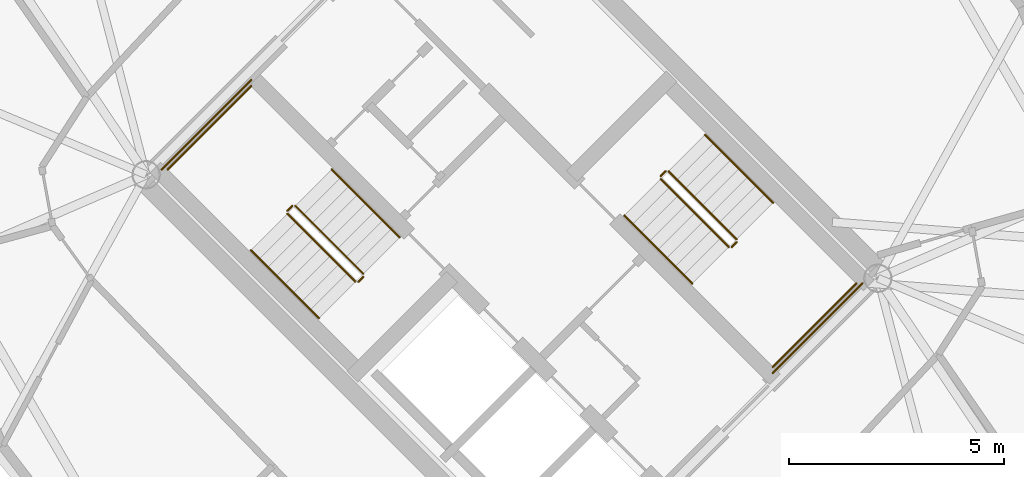
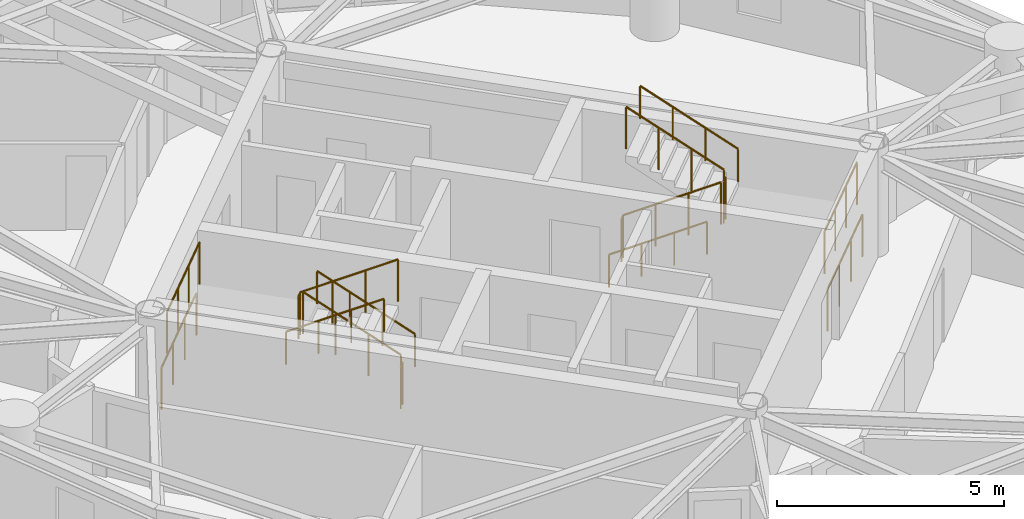
# One storey, part 16 of 16: 16 railings.
"""IFC4 building model written with IfcOpenShell, lengths in metres."""

from ifc_helpers import new_model, si_unit, direction, frame, origin, origin_2d, place, context, subcontext, project, spatial, circle, extrude, material, type_object, element, save


model = new_model("IFC4")

# Units and contexts
model_context = context("Model", 3, precision=1e-05, world=origin(), true_north=direction((0.0, 1.0)))
body_context = subcontext(model_context, "Body", "Model", "MODEL_VIEW")
ifc_project = project(units=[si_unit("LENGTHUNIT", "METRE"), si_unit("AREAUNIT", "SQUARE_METRE"), si_unit("VOLUMEUNIT", "CUBIC_METRE"), si_unit("PLANEANGLEUNIT", "RADIAN"), si_unit("MASSUNIT", "GRAM", prefix="KILO")], contexts=[model_context])

# Site, building, storey
site_placement = place(None, origin())
site = spatial("IfcSite", under=ifc_project, at=site_placement, CompositionType="ELEMENT")
building_placement = place(site_placement, origin())
building = spatial("IfcBuilding", under=site, at=building_placement, Name="Cununo Teusaquillo Station Towers", CompositionType="ELEMENT")
storey_placement = place(building_placement, frame((0.0, 0.0, 211.2099609375)))
storey = spatial("IfcBuildingStorey", under=building, at=storey_placement, Name="L67", CompositionType="ELEMENT", Elevation=211.2099609375)

# Railings
ifc_material_1 = material(Name="Steel EN 10025-2 S355J2", Category="steel")
railing_type_1 = type_object("IfcRailingType", Name="RL-INT-GUARD", PredefinedType="GUARDRAIL", material=ifc_material_1)
railing_1_placement = place(storey_placement, frame((54.03515625, 23.39697265625, 0.16162109375)))
element("IfcRailing", 1, at=railing_1_placement, inside=storey, type_object=railing_type_1, Name="L67 ST-T2-1 stair guard 1", PredefinedType="GUARDRAIL", context=body_context, shape_type="SweptSolid", body=[
    extrude(circle(Radius=0.02392578125, at=origin_2d()), frame((0.0, 0.0, 1.1259765625), z_axis=(-0.612332353853, 0.612332353853, 0.500098167213), x_axis=(-0.707106781187, -0.707106781187, 0.0)), (0.0, 0.0, 1.0), 2.58642578125),
    extrude(circle(Radius=0.02099609375, at=origin_2d()), origin(), (0.0, 0.0, 1.0), 1.101806640625),
    extrude(circle(Radius=0.02099609375, at=origin_2d()), frame((-0.52783203125, 0.52783203125, 0.43115234375)), (0.0, 0.0, 1.0), 1.101806640625),
    extrude(circle(Radius=0.02099609375, at=origin_2d()), frame((-1.055908203125, 1.055908203125, 0.8623046875)), (0.0, 0.0, 1.0), 1.101806640625),
    extrude(circle(Radius=0.02099609375, at=origin_2d()), frame((-1.583740234375, 1.583740234375, 1.29345703125)), (0.0, 0.0, 1.0), 1.101806640625),
])
railing_2_placement = place(storey_placement, frame((52.380615234375, 24.980712890625, 1.455078125)))
element("IfcRailing", 2, at=railing_2_placement, inside=storey, type_object=railing_type_1, Name="L67 ST-T2-1 stair guard 2", PredefinedType="GUARDRAIL", context=body_context, shape_type="SweptSolid", body=[
    extrude(circle(Radius=0.02392578125, at=origin_2d()), frame((0.0, 0.0, 1.1259765625), z_axis=(-0.7078691598, -0.706343579714, 0.0), x_axis=(0.706343579714, -0.7078691598, 0.0)), (0.0, 0.0, 1.0), 0.159912109375),
    extrude(circle(Radius=0.02099609375, at=origin_2d()), origin(), (0.0, 0.0, 1.0), 1.101806640625),
    extrude(circle(Radius=0.02099609375, at=origin_2d()), frame((-0.11328125, -0.113037109375, 0.0)), (0.0, 0.0, 1.0), 1.101806640625),
])
railing_3_placement = place(storey_placement, frame((51.426025390625, 27.77392578125, 1.455078125)))
element("IfcRailing", 3, at=railing_3_placement, inside=storey, type_object=railing_type_1, Name="L67 ST-T2-1 stair guard 3", PredefinedType="GUARDRAIL", context=body_context, shape_type="SweptSolid", body=[
    extrude(circle(Radius=0.02392578125, at=origin_2d()), frame((0.0, 0.0, 1.1259765625), z_axis=(-0.707106781187, -0.707106781187, 0.0), x_axis=(0.707106781187, -0.707106781187, 0.0)), (0.0, 0.0, 1.0), 2.760009765625),
    extrude(circle(Radius=0.02099609375, at=origin_2d()), origin(), (0.0, 0.0, 1.0), 1.101806640625),
    extrude(circle(Radius=0.02099609375, at=origin_2d()), frame((-0.650634765625, -0.650634765625, 0.0)), (0.0, 0.0, 1.0), 1.101806640625),
    extrude(circle(Radius=0.02099609375, at=origin_2d()), frame((-1.301025390625, -1.301025390625, 0.0)), (0.0, 0.0, 1.0), 1.101806640625),
    extrude(circle(Radius=0.02099609375, at=origin_2d()), frame((-1.95166015625, -1.95166015625, 0.0)), (0.0, 0.0, 1.0), 1.101806640625),
])
railing_4_placement = place(storey_placement, frame((52.267333984375, 24.796875, 1.61669921875)))
element("IfcRailing", 4, at=railing_4_placement, inside=storey, type_object=railing_type_1, Name="L67 ST-T2-1 stair guard 4", PredefinedType="GUARDRAIL", context=body_context, shape_type="SweptSolid", body=[
    extrude(circle(Radius=0.02392578125, at=origin_2d()), frame((0.0, 0.0, 1.1259765625), z_axis=(0.612391349474, -0.612296961165, 0.500069261639), x_axis=(0.707052281454, 0.707161276719, 0.0)), (0.0, 0.0, 1.0), 2.586669921875),
    extrude(circle(Radius=0.02099609375, at=origin_2d()), origin(), (0.0, 0.0, 1.0), 1.101806640625),
    extrude(circle(Radius=0.02099609375, at=origin_2d()), frame((0.528076171875, -0.52783203125, 0.43115234375)), (0.0, 0.0, 1.0), 1.101806640625),
    extrude(circle(Radius=0.02099609375, at=origin_2d()), frame((1.055908203125, -1.055908203125, 0.8623046875)), (0.0, 0.0, 1.0), 1.101806640625),
    extrude(circle(Radius=0.02099609375, at=origin_2d()), frame((1.583984375, -1.583740234375, 1.29345703125)), (0.0, 0.0, 1.0), 1.101806640625),
])
railing_5_placement = place(storey_placement, frame((54.03515625, 23.326171875, 0.0)))
element("IfcRailing", 5, at=railing_5_placement, inside=storey, type_object=railing_type_1, Name="L67 ST-T2-1 stair guard 5", PredefinedType="GUARDRAIL", context=body_context, shape_type="SweptSolid", body=[
    extrude(circle(Radius=0.02392578125, at=origin_2d()), frame((0.0, 0.0, 1.1259765625), z_axis=(-0.707106781187, -0.707106781187, 0.0), x_axis=(0.707106781187, -0.707106781187, 0.0)), (0.0, 0.0, 1.0), 0.159912109375),
    extrude(circle(Radius=0.02099609375, at=origin_2d()), origin(), (0.0, 0.0, 1.0), 1.101806640625),
    extrude(circle(Radius=0.02099609375, at=origin_2d()), frame((-0.113037109375, -0.113037109375, 0.0)), (0.0, 0.0, 1.0), 1.101806640625),
])
railing_6_placement = place(storey_placement, frame((51.426025390625, 27.915283203125, 0.0)))
element("IfcRailing", 6, at=railing_6_placement, inside=storey, type_object=railing_type_1, Name="L67 ST-T2-1 stair guard 6", PredefinedType="GUARDRAIL", context=body_context, shape_type="SweptSolid", body=[
    extrude(circle(Radius=0.02392578125, at=origin_2d()), frame((0.0, 0.0, 1.1259765625), z_axis=(-0.707106781187, -0.707106781187, 0.0), x_axis=(0.707106781187, -0.707106781187, 0.0)), (0.0, 0.0, 1.0), 2.9599609375),
    extrude(circle(Radius=0.02099609375, at=origin_2d()), origin(), (0.0, 0.0, 1.0), 1.101806640625),
    extrude(circle(Radius=0.02099609375, at=origin_2d()), frame((-0.69775390625, -0.69775390625, 0.0)), (0.0, 0.0, 1.0), 1.101806640625),
    extrude(circle(Radius=0.02099609375, at=origin_2d()), frame((-1.395263671875, -1.395263671875, 0.0)), (0.0, 0.0, 1.0), 1.101806640625),
    extrude(circle(Radius=0.02099609375, at=origin_2d()), frame((-2.093017578125, -2.093017578125, 0.0)), (0.0, 0.0, 1.0), 1.101806640625),
])
railing_7_placement = place(storey_placement, frame((60.96484375, 25.60302734375, 0.16162109375)))
element("IfcRailing", 7, at=railing_7_placement, inside=storey, type_object=railing_type_1, Name="L67 ST-T2-2 stair guard 1", PredefinedType="GUARDRAIL", context=body_context, shape_type="SweptSolid", body=[
    extrude(circle(Radius=0.02392578125, at=origin_2d()), frame((0.0, 0.0, 1.1259765625), z_axis=(0.612332353853, -0.612332353853, 0.500098167213), x_axis=(0.707106781187, 0.707106781187, 0.0)), (0.0, 0.0, 1.0), 2.58642578125),
    extrude(circle(Radius=0.02099609375, at=origin_2d()), origin(), (0.0, 0.0, 1.0), 1.101806640625),
    extrude(circle(Radius=0.02099609375, at=origin_2d()), frame((0.52783203125, -0.52783203125, 0.43115234375)), (0.0, 0.0, 1.0), 1.101806640625),
    extrude(circle(Radius=0.02099609375, at=origin_2d()), frame((1.055908203125, -1.055908203125, 0.8623046875)), (0.0, 0.0, 1.0), 1.101806640625),
    extrude(circle(Radius=0.02099609375, at=origin_2d()), frame((1.583740234375, -1.583740234375, 1.29345703125)), (0.0, 0.0, 1.0), 1.101806640625),
])
railing_8_placement = place(storey_placement, frame((62.619384765625, 24.019287109375, 1.455078125)))
element("IfcRailing", 8, at=railing_8_placement, inside=storey, type_object=railing_type_1, Name="L67 ST-T2-2 stair guard 2", PredefinedType="GUARDRAIL", context=body_context, shape_type="SweptSolid", body=[
    extrude(circle(Radius=0.02392578125, at=origin_2d()), frame((0.0, 0.0, 1.1259765625), z_axis=(0.7078691598, 0.706343579714, 0.0), x_axis=(-0.706343579714, 0.7078691598, 0.0)), (0.0, 0.0, 1.0), 0.159912109375),
    extrude(circle(Radius=0.02099609375, at=origin_2d()), origin(), (0.0, 0.0, 1.0), 1.101806640625),
    extrude(circle(Radius=0.02099609375, at=origin_2d()), frame((0.11328125, 0.113037109375, 0.0)), (0.0, 0.0, 1.0), 1.101806640625),
])
railing_9_placement = place(storey_placement, frame((63.573974609375, 21.22607421875, 1.455078125)))
element("IfcRailing", 9, at=railing_9_placement, inside=storey, type_object=railing_type_1, Name="L67 ST-T2-2 stair guard 3", PredefinedType="GUARDRAIL", context=body_context, shape_type="SweptSolid", body=[
    extrude(circle(Radius=0.02392578125, at=origin_2d()), frame((0.0, 0.0, 1.1259765625), z_axis=(0.707106781187, 0.707106781187, 0.0), x_axis=(-0.707106781187, 0.707106781187, 0.0)), (0.0, 0.0, 1.0), 2.760009765625),
    extrude(circle(Radius=0.02099609375, at=origin_2d()), origin(), (0.0, 0.0, 1.0), 1.101806640625),
    extrude(circle(Radius=0.02099609375, at=origin_2d()), frame((0.650634765625, 0.650634765625, 0.0)), (0.0, 0.0, 1.0), 1.101806640625),
    extrude(circle(Radius=0.02099609375, at=origin_2d()), frame((1.301025390625, 1.301025390625, 0.0)), (0.0, 0.0, 1.0), 1.101806640625),
    extrude(circle(Radius=0.02099609375, at=origin_2d()), frame((1.95166015625, 1.95166015625, 0.0)), (0.0, 0.0, 1.0), 1.101806640625),
])
railing_10_placement = place(storey_placement, frame((62.732666015625, 24.203125, 1.61669921875)))
element("IfcRailing", 10, at=railing_10_placement, inside=storey, type_object=railing_type_1, Name="L67 ST-T2-2 stair guard 4", PredefinedType="GUARDRAIL", context=body_context, shape_type="SweptSolid", body=[
    extrude(circle(Radius=0.02392578125, at=origin_2d()), frame((0.0, 0.0, 1.1259765625), z_axis=(-0.612391349474, 0.612296961165, 0.500069261639), x_axis=(-0.707052281454, -0.707161276719, 0.0)), (0.0, 0.0, 1.0), 2.586669921875),
    extrude(circle(Radius=0.02099609375, at=origin_2d()), origin(), (0.0, 0.0, 1.0), 1.101806640625),
    extrude(circle(Radius=0.02099609375, at=origin_2d()), frame((-0.528076171875, 0.52783203125, 0.43115234375)), (0.0, 0.0, 1.0), 1.101806640625),
    extrude(circle(Radius=0.02099609375, at=origin_2d()), frame((-1.055908203125, 1.055908203125, 0.8623046875)), (0.0, 0.0, 1.0), 1.101806640625),
    extrude(circle(Radius=0.02099609375, at=origin_2d()), frame((-1.583984375, 1.583740234375, 1.29345703125)), (0.0, 0.0, 1.0), 1.101806640625),
])
railing_11_placement = place(storey_placement, frame((60.96484375, 25.673828125, 0.0)))
element("IfcRailing", 11, at=railing_11_placement, inside=storey, type_object=railing_type_1, Name="L67 ST-T2-2 stair guard 5", PredefinedType="GUARDRAIL", context=body_context, shape_type="SweptSolid", body=[
    extrude(circle(Radius=0.02392578125, at=origin_2d()), frame((0.0, 0.0, 1.1259765625), z_axis=(0.707106781187, 0.707106781187, 0.0), x_axis=(-0.707106781187, 0.707106781187, 0.0)), (0.0, 0.0, 1.0), 0.159912109375),
    extrude(circle(Radius=0.02099609375, at=origin_2d()), origin(), (0.0, 0.0, 1.0), 1.101806640625),
    extrude(circle(Radius=0.02099609375, at=origin_2d()), frame((0.113037109375, 0.113037109375, 0.0)), (0.0, 0.0, 1.0), 1.101806640625),
])
railing_12_placement = place(storey_placement, frame((63.573974609375, 21.084716796875, 0.0)))
element("IfcRailing", 12, at=railing_12_placement, inside=storey, type_object=railing_type_1, Name="L67 ST-T2-2 stair guard 6", PredefinedType="GUARDRAIL", context=body_context, shape_type="SweptSolid", body=[
    extrude(circle(Radius=0.02392578125, at=origin_2d()), frame((0.0, 0.0, 1.1259765625), z_axis=(0.707106781187, 0.707106781187, 0.0), x_axis=(-0.707106781187, 0.707106781187, 0.0)), (0.0, 0.0, 1.0), 2.9599609375),
    extrude(circle(Radius=0.02099609375, at=origin_2d()), origin(), (0.0, 0.0, 1.0), 1.101806640625),
    extrude(circle(Radius=0.02099609375, at=origin_2d()), frame((0.69775390625, 0.69775390625, 0.0)), (0.0, 0.0, 1.0), 1.101806640625),
    extrude(circle(Radius=0.02099609375, at=origin_2d()), frame((1.395263671875, 1.395263671875, 0.0)), (0.0, 0.0, 1.0), 1.101806640625),
    extrude(circle(Radius=0.02099609375, at=origin_2d()), frame((2.093017578125, 2.093017578125, 0.0)), (0.0, 0.0, 1.0), 1.101806640625),
])
ifc_material_2 = material(Name="Steel EN 10025-2 S355J2", Category="steel")
railing_type_2 = type_object("IfcRailingType", Name="RL-INT-HRAIL", PredefinedType="HANDRAIL", material=ifc_material_2)
railing_13_placement = place(storey_placement, frame((54.8837890625, 24.245361328125, 0.16162109375)))
element("IfcRailing", 13, at=railing_13_placement, inside=storey, type_object=railing_type_2, Name="L67 ST-T2-1 stair handrail 1", PredefinedType="HANDRAIL", context=body_context, shape_type="SweptSolid", body=[
    extrude(circle(Radius=0.02392578125, at=origin_2d()), frame((0.0, 0.0, 0.8759765625), z_axis=(-0.612355957468, 0.612355957468, 0.500040361077), x_axis=(-0.707106781187, -0.707106781187, 0.0)), (0.0, 0.0, 1.0), 2.586669921875),
    extrude(circle(Radius=0.02099609375, at=origin_2d()), origin(), (0.0, 0.0, 1.0), 0.851806640625),
    extrude(circle(Radius=0.02099609375, at=origin_2d()), frame((-0.528076171875, 0.528076171875, 0.43115234375)), (0.0, 0.0, 1.0), 0.851806640625),
    extrude(circle(Radius=0.02099609375, at=origin_2d()), frame((-1.055908203125, 1.055908203125, 0.8623046875)), (0.0, 0.0, 1.0), 0.851806640625),
    extrude(circle(Radius=0.02099609375, at=origin_2d()), frame((-1.583984375, 1.583984375, 1.29345703125)), (0.0, 0.0, 1.0), 0.851806640625),
])
for number, where, name in (
    (14, (51.4189453125, 23.948486328125, 1.61669921875), "L67 ST-T2-1 stair handrail 2"),
    (15, (60.1162109375, 24.754638671875, 0.16162109375), "L67 ST-T2-2 stair handrail 1"),
):
    element("IfcRailing", number, at=place(storey_placement, frame(where)), inside=storey, type_object=railing_type_2, Name=name, PredefinedType="HANDRAIL", context=body_context, shape_type="SweptSolid", body=[
        extrude(circle(Radius=0.02392578125, at=origin_2d()), frame((0.0, 0.0, 0.8759765625), z_axis=(0.612355957468, -0.612355957468, 0.500040361077), x_axis=(0.707106781187, 0.707106781187, 0.0)), (0.0, 0.0, 1.0), 2.586669921875),
        extrude(circle(Radius=0.02099609375, at=origin_2d()), origin(), (0.0, 0.0, 1.0), 0.851806640625),
        extrude(circle(Radius=0.02099609375, at=origin_2d()), frame((0.528076171875, -0.528076171875, 0.43115234375)), (0.0, 0.0, 1.0), 0.851806640625),
        extrude(circle(Radius=0.02099609375, at=origin_2d()), frame((1.055908203125, -1.055908203125, 0.8623046875)), (0.0, 0.0, 1.0), 0.851806640625),
        extrude(circle(Radius=0.02099609375, at=origin_2d()), frame((1.583984375, -1.583984375, 1.29345703125)), (0.0, 0.0, 1.0), 0.851806640625),
    ])
railing_14_placement = place(storey_placement, frame((63.5810546875, 25.051513671875, 1.61669921875)))
element("IfcRailing", 16, at=railing_14_placement, inside=storey, type_object=railing_type_2, Name="L67 ST-T2-2 stair handrail 2", PredefinedType="HANDRAIL", context=body_context, shape_type="SweptSolid", body=[
    extrude(circle(Radius=0.02392578125, at=origin_2d()), frame((0.0, 0.0, 0.8759765625), z_axis=(-0.612355957468, 0.612355957468, 0.500040361077), x_axis=(-0.707106781187, -0.707106781187, 0.0)), (0.0, 0.0, 1.0), 2.586669921875),
    extrude(circle(Radius=0.02099609375, at=origin_2d()), origin(), (0.0, 0.0, 1.0), 0.851806640625),
    extrude(circle(Radius=0.02099609375, at=origin_2d()), frame((-0.528076171875, 0.528076171875, 0.43115234375)), (0.0, 0.0, 1.0), 0.851806640625),
    extrude(circle(Radius=0.02099609375, at=origin_2d()), frame((-1.055908203125, 1.055908203125, 0.8623046875)), (0.0, 0.0, 1.0), 0.851806640625),
    extrude(circle(Radius=0.02099609375, at=origin_2d()), frame((-1.583984375, 1.583984375, 1.29345703125)), (0.0, 0.0, 1.0), 0.851806640625),
])

save(model, "model.ifc")
